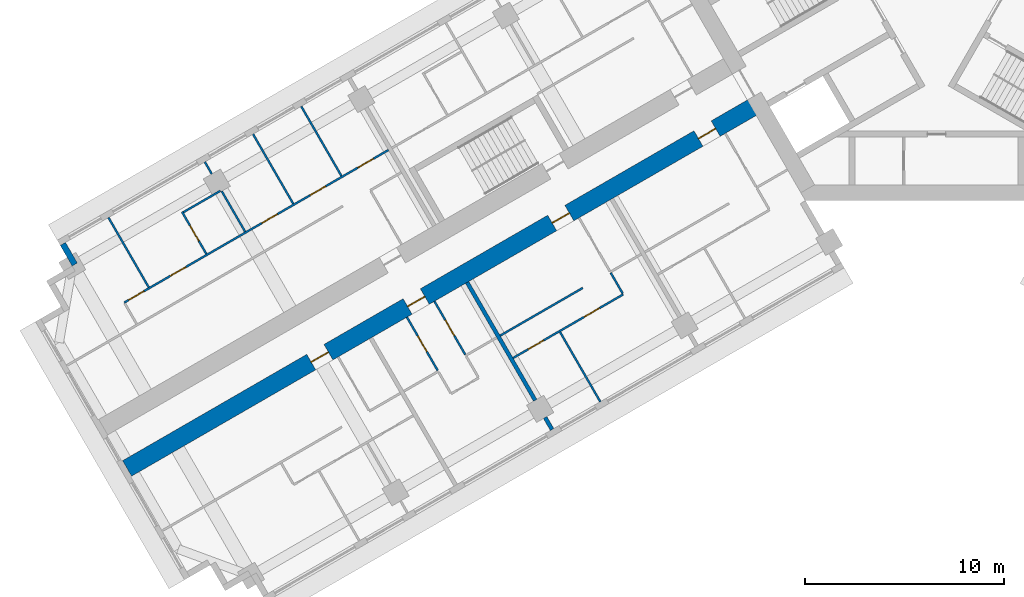
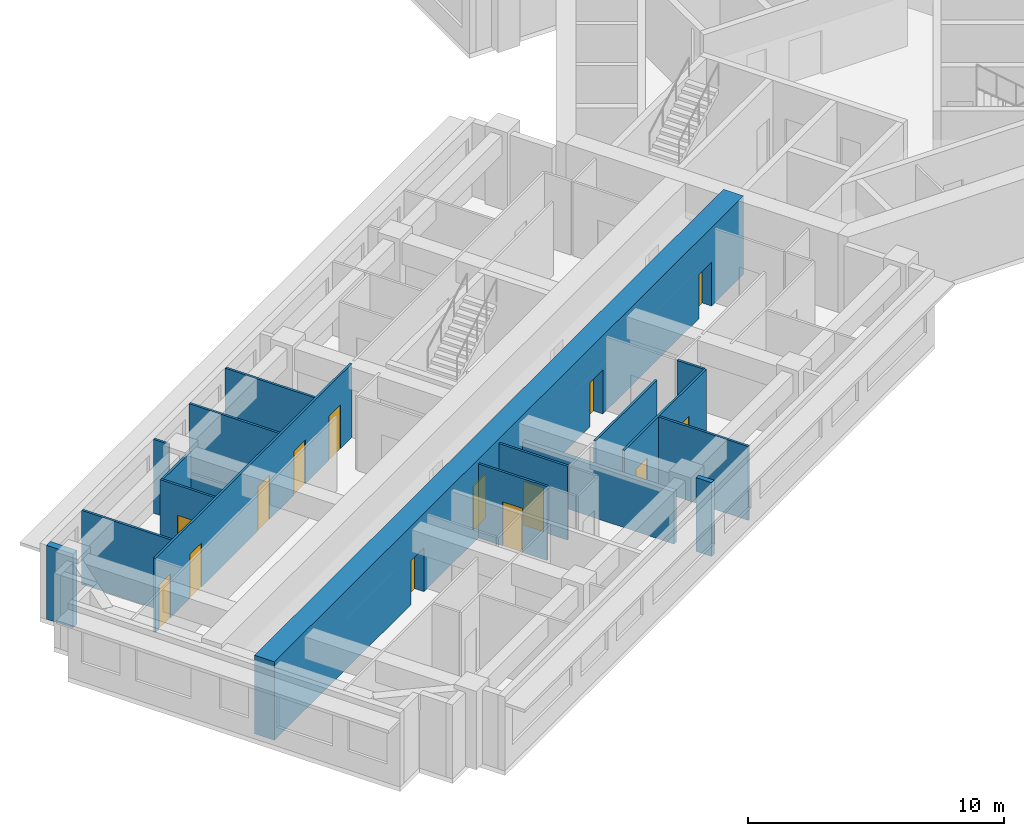
# One storey, part 4 of 14: 18 walls, 14 doors, 14 openings.
"""IFC4 building model written with IfcOpenShell, lengths in metres."""

from ifc_helpers import new_model, si_unit, direction, frame, frame_2d, origin, place, context, subcontext, project, spatial, rectangle, extrude, material, layer, layer_set, type_object, element, fill, save


model = new_model("IFC4")

# Units and contexts
model_context = context("Model", 3, precision=1e-05, world=origin(), true_north=direction((0.0, 1.0)))
body_context = subcontext(model_context, "Body", "Model", "MODEL_VIEW")
ifc_project = project(units=[si_unit("LENGTHUNIT", "METRE"), si_unit("AREAUNIT", "SQUARE_METRE"), si_unit("VOLUMEUNIT", "CUBIC_METRE"), si_unit("PLANEANGLEUNIT", "RADIAN"), si_unit("MASSUNIT", "GRAM", prefix="KILO")], contexts=[model_context])

# Site, building, storey
site_placement = place(None, origin())
site = spatial("IfcSite", under=ifc_project, at=site_placement, CompositionType="ELEMENT")
building_placement = place(site_placement, origin())
building = spatial("IfcBuilding", under=site, at=building_placement, Name="Impinga Residences", CompositionType="ELEMENT")
storey_placement = place(building_placement, frame((0.0, 0.0, 124.75)))
storey = spatial("IfcBuildingStorey", under=building, at=storey_placement, Name="L30", CompositionType="ELEMENT", Elevation=124.75)

# Wall, openings, doors
ifc_material_1 = material(Name="Concrete C60/75", Category="concrete")
ifc_layer_1 = layer(ifc_material_1, 0.89990234375)
ifc_layer_set_1 = layer_set([ifc_layer_1], Name="Concrete C60/75")
wall_type_1 = type_object("IfcWallType", Name="BW2 corridor buttress wall, L24 to L44 900", PredefinedType="SHEAR", material=ifc_layer_set_1)
wall_1_placement = place(storey_placement, frame((-8.95361328125, -6.554931640625, 0.0), z_axis=(0.0, 0.0, 1.0), x_axis=(-0.866024733898, -0.500001160275, 0.0)))
wall_1 = element("IfcWall", 1, at=wall_1_placement, inside=storey, type_object=wall_type_1, Name="Corridor wall BW2 WC L30", PredefinedType="SHEAR", context=body_context, shape_type="SweptSolid", body=[
    extrude(rectangle(XDim=36.7001953125, YDim=0.89990234375, at=frame_2d((18.35009765625, 0.0))), origin(), (0.0, 0.0, 1.0), 3.75),
])
opening_1_placement = place(wall_1_placement, frame((2.5, 0.0, 0.0)))
opening_1 = element("IfcOpeningElement", 2, at=opening_1_placement, cuts=wall_1, Name="Opening D1", PredefinedType="OPENING", context=body_context, shape_type="SweptSolid", body=[
    extrude(rectangle(XDim=1.0, YDim=2.10009765625, at=frame_2d((0.5, 1.050048828125))), frame((0.0, 0.4599609375, 0.0), z_axis=(0.0, -1.0, 0.0), x_axis=(1.0, 0.0, 0.0)), (0.0, 0.0, 1.0), 0.919921875),
])
opening_2_placement = place(wall_1_placement, frame((11.0, 0.0, 0.0)))
opening_2 = element("IfcOpeningElement", 3, at=opening_2_placement, cuts=wall_1, Name="Opening D1", PredefinedType="OPENING", context=body_context, shape_type="SweptSolid", body=[
    extrude(rectangle(XDim=1.0, YDim=2.10009765625, at=frame_2d((0.5, 1.050048828125))), frame((0.0, 0.4599609375, 0.0), z_axis=(0.0, -1.0, 0.0), x_axis=(1.0, 0.0, 0.0)), (0.0, 0.0, 1.0), 0.919921875),
])
opening_3_placement = place(wall_1_placement, frame((19.39990234375, 0.0, 0.0)))
opening_3 = element("IfcOpeningElement", 4, at=opening_3_placement, cuts=wall_1, Name="Opening D1", PredefinedType="OPENING", context=body_context, shape_type="SweptSolid", body=[
    extrude(rectangle(XDim=1.0, YDim=2.10009765625, at=frame_2d((0.5, 1.050048828125))), frame((0.0, 0.4599609375, 0.0), z_axis=(0.0, -1.0, 0.0), x_axis=(1.0, 0.0, 0.0)), (0.0, 0.0, 1.0), 0.919921875),
])
opening_4_placement = place(wall_1_placement, frame((25.0, 0.0, 0.0)))
opening_4 = element("IfcOpeningElement", 5, at=opening_4_placement, cuts=wall_1, Name="Opening D1", PredefinedType="OPENING", context=body_context, shape_type="SweptSolid", body=[
    extrude(rectangle(XDim=1.0, YDim=2.10009765625, at=frame_2d((0.5, 1.050048828125))), frame((0.0, 0.4599609375, 0.0), z_axis=(0.0, -1.0, 0.0), x_axis=(1.0, 0.0, 0.0)), (0.0, 0.0, 1.0), 0.919921875),
])
ifc_material_2 = material(Name="Timber door set", Category="wood")
door_type_1 = type_object("IfcDoorType", Name="D1 apartment entrance door 1000x2100", OperationType="SINGLE_SWING_LEFT", PredefinedType="DOOR", material=ifc_material_2)
door_1_placement = place(opening_1_placement, origin())
door_1 = element("IfcDoor", 6, at=door_1_placement, inside=storey, type_object=door_type_1, Name="Apartment L30-WA1 entrance", OperationType="SINGLE_SWING_LEFT", OverallHeight=2.10009765625, OverallWidth=1.0, PredefinedType="DOOR", context=body_context, shape_type="SweptSolid", body=[
    extrude(rectangle(XDim=1.0, YDim=2.10009765625, at=frame_2d((0.5, 1.050048828125))), frame((0.0, 0.02490234375, 0.0), z_axis=(0.0, -1.0, 0.0), x_axis=(1.0, 0.0, 0.0)), (0.0, 0.0, 1.0), 0.050048828125),
])
fill(opening_1, door_1)
door_2_placement = place(opening_2_placement, origin())
door_2 = element("IfcDoor", 7, at=door_2_placement, inside=storey, type_object=door_type_1, Name="Apartment L30-WA2 entrance", OperationType="SINGLE_SWING_LEFT", OverallHeight=2.10009765625, OverallWidth=1.0, PredefinedType="DOOR", context=body_context, shape_type="SweptSolid", body=[
    extrude(rectangle(XDim=1.0, YDim=2.10009765625, at=frame_2d((0.5, 1.050048828125))), frame((0.0, 0.02490234375, 0.0), z_axis=(0.0, -1.0, 0.0), x_axis=(1.0, 0.0, 0.0)), (0.0, 0.0, 1.0), 0.050048828125),
])
fill(opening_2, door_2)
door_3_placement = place(opening_3_placement, origin())
door_3 = element("IfcDoor", 8, at=door_3_placement, inside=storey, type_object=door_type_1, Name="Apartment L30-WA3 entrance", OperationType="SINGLE_SWING_RIGHT", OverallHeight=2.10009765625, OverallWidth=1.0, PredefinedType="DOOR", context=body_context, shape_type="SweptSolid", body=[
    extrude(rectangle(XDim=1.0, YDim=2.10009765625, at=frame_2d((0.5, 1.050048828125))), frame((0.0, 0.02490234375, 0.0), z_axis=(0.0, -1.0, 0.0), x_axis=(1.0, 0.0, 0.0)), (0.0, 0.0, 1.0), 0.050048828125),
])
fill(opening_3, door_3)
door_4_placement = place(opening_4_placement, origin())
door_4 = element("IfcDoor", 9, at=door_4_placement, inside=storey, type_object=door_type_1, Name="Apartment L30-WA4 entrance", OperationType="SINGLE_SWING_RIGHT", OverallHeight=2.10009765625, OverallWidth=1.0, PredefinedType="DOOR", context=body_context, shape_type="SweptSolid", body=[
    extrude(rectangle(XDim=1.0, YDim=2.10009765625, at=frame_2d((0.5, 1.050048828125))), frame((0.0, 0.02490234375, 0.0), z_axis=(0.0, -1.0, 0.0), x_axis=(1.0, 0.0, 0.0)), (0.0, 0.0, 1.0), 0.050048828125),
])
fill(opening_4, door_4)

# Walls
ifc_material_3 = material(Name="Terracotta rainscreen on blockwork", Category="masonry")
ifc_layer_2 = layer(ifc_material_3, 0.300048828125)
ifc_layer_set_2 = layer_set([ifc_layer_2], Name="EW1 external wall, terracotta rainscreen on blockwork 300")
wall_type_2 = type_object("IfcWallType", Name="EW1 external wall, terracotta rainscreen on blockwork 300", PredefinedType="SOLIDWALL", material=ifc_layer_set_2)
wall_2_placement = place(storey_placement, frame((-43.37109375, -14.64208984375, 0.0), z_axis=(0.0, 0.0, 1.0), x_axis=(-0.500029051137, 0.866008630453, 0.0)))
element("IfcWall", 10, at=wall_2_placement, inside=storey, type_object=wall_type_2, Name="External wall EW1 L30", PredefinedType="SOLIDWALL", context=body_context, shape_type="SweptSolid", body=[
    extrude(rectangle(XDim=1.19482421875, YDim=0.300048828125, at=frame_2d((0.597412109375, 0.0))), origin(), (0.0, 0.0, 1.0), 3.530029296875),
])
ifc_material_4 = material(Name="Gypsum board on steel studs", Category="steel")
ifc_layer_3 = layer(ifc_material_4, 0.10009765625)
ifc_layer_set_3 = layer_set([ifc_layer_3], Name="Gypsum board on steel studs")
wall_type_3 = type_object("IfcWallType", Name="IP1 partition 100", PredefinedType="PARTITIONING", material=ifc_layer_set_3)
wall_3_placement = place(storey_placement, frame((-17.8056640625, -15.82275390625, 0.0), z_axis=(0.0, 0.0, 1.0), x_axis=(-0.866037363387, -0.499979284789, 0.0)))
element("IfcWall", 11, at=wall_3_placement, inside=storey, type_object=wall_type_3, Name="Partition L30-WA2:DIV1", PredefinedType="PARTITIONING", context=body_context, shape_type="SweptSolid", body=[
    extrude(rectangle(XDim=4.800048828125, YDim=0.10009765625, at=frame_2d((2.39990234375, 0.0))), origin(), (0.0, 0.0, 1.0), 3.530029296875),
])

# Wall, openings, doors
wall_4_placement = place(storey_placement, frame((-15.77001953125, -16.1484375, 0.0), z_axis=(0.0, 0.0, 1.0), x_axis=(-0.866018518567, -0.500011925357, 0.0)))
wall_4 = element("IfcWall", 12, at=wall_4_placement, inside=storey, type_object=wall_type_3, Name="Partition L30-WA2:STRIP", PredefinedType="PARTITIONING", context=body_context, shape_type="SweptSolid", body=[
    extrude(rectangle(XDim=6.400146484375, YDim=0.10009765625, at=frame_2d((3.2001953125, 0.0))), origin(), (0.0, 0.0, 1.0), 3.530029296875),
])
opening_5_placement = place(wall_4_placement, frame((1.375, 0.0, 0.0)))
opening_5 = element("IfcOpeningElement", 13, at=opening_5_placement, cuts=wall_4, Name="Opening D2", PredefinedType="OPENING", context=body_context, shape_type="SweptSolid", body=[
    extrude(rectangle(XDim=0.89990234375, YDim=2.10009765625, at=frame_2d((0.449951171875, 1.050048828125))), frame((0.0, 0.06005859375, 0.0), z_axis=(0.0, -1.0, 0.0), x_axis=(1.0, 0.0, 0.0)), (0.0, 0.0, 1.0), 0.1201171875),
])
opening_6_placement = place(wall_4_placement, frame((4.625, 0.0, 0.0)))
opening_6 = element("IfcOpeningElement", 14, at=opening_6_placement, cuts=wall_4, Name="Opening D2", PredefinedType="OPENING", context=body_context, shape_type="SweptSolid", body=[
    extrude(rectangle(XDim=0.89990234375, YDim=2.10009765625, at=frame_2d((0.449951171875, 1.050048828125))), frame((0.0, 0.06005859375, 0.0), z_axis=(0.0, -1.0, 0.0), x_axis=(1.0, 0.0, 0.0)), (0.0, 0.0, 1.0), 0.1201171875),
])
door_type_2 = type_object("IfcDoorType", Name="D2 internal door 900x2100", OperationType="SINGLE_SWING_LEFT", PredefinedType="DOOR", material=ifc_material_2)
door_5_placement = place(opening_5_placement, origin())
door_5 = element("IfcDoor", 15, at=door_5_placement, inside=storey, type_object=door_type_2, Name="Apartment L30-WA2 room door", OperationType="SINGLE_SWING_LEFT", OverallHeight=2.10009765625, OverallWidth=0.89990234375, PredefinedType="DOOR", context=body_context, shape_type="SweptSolid", body=[
    extrude(rectangle(XDim=0.89990234375, YDim=2.10009765625, at=frame_2d((0.449951171875, 1.050048828125))), frame((0.0, 0.02490234375, 0.0), z_axis=(0.0, -1.0, 0.0), x_axis=(1.0, 0.0, 0.0)), (0.0, 0.0, 1.0), 0.050048828125),
])
fill(opening_5, door_5)
door_6_placement = place(opening_6_placement, origin())
door_6 = element("IfcDoor", 16, at=door_6_placement, inside=storey, type_object=door_type_2, Name="Apartment L30-WA2 room door", OperationType="SINGLE_SWING_RIGHT", OverallHeight=2.10009765625, OverallWidth=0.89990234375, PredefinedType="DOOR", context=body_context, shape_type="SweptSolid", body=[
    extrude(rectangle(XDim=0.89990234375, YDim=2.10009765625, at=frame_2d((0.449951171875, 1.050048828125))), frame((0.0, 0.02490234375, 0.0), z_axis=(0.0, -1.0, 0.0), x_axis=(1.0, 0.0, 0.0)), (0.0, 0.0, 1.0), 0.050048828125),
])
fill(opening_6, door_6)

# Walls
wall_5_placement = place(storey_placement, frame((-16.39501953125, -15.06591796875, 0.0), z_axis=(0.0, 0.0, 1.0), x_axis=(0.499880961361, -0.866094119867, 0.0)))
element("IfcWall", 17, at=wall_5_placement, inside=storey, type_object=wall_type_3, Name="Partition L30-WA2:SE0", PredefinedType="PARTITIONING", context=body_context, shape_type="SweptSolid", body=[
    extrude(rectangle(XDim=1.199951171875, YDim=0.10009765625, at=frame_2d((0.60009765625, 0.0))), origin(), (0.0, 0.0, 1.0), 3.530029296875),
])
wall_6_placement = place(storey_placement, frame((-18.949462890625, -18.041748046875, 0.0), z_axis=(0.0, 0.0, 1.0), x_axis=(0.50000943426, -0.866019956843, 0.0)))
element("IfcWall", 18, at=wall_6_placement, inside=storey, type_object=wall_type_3, Name="Partition L30-WA2:OB1", PredefinedType="PARTITIONING", context=body_context, shape_type="SweptSolid", body=[
    extrude(rectangle(XDim=4.05029296875, YDim=0.10009765625, at=frame_2d((2.025146484375, 0.0))), origin(), (0.0, 0.0, 1.0), 3.530029296875),
])

# Wall, opening, door
wall_7_placement = place(storey_placement, frame((-25.269775390625, -16.49462890625, 0.0), z_axis=(0.0, 0.0, 1.0), x_axis=(0.49999285859, -0.86602952684, 0.0)))
wall_7 = element("IfcWall", 19, at=wall_7_placement, inside=storey, type_object=wall_type_3, Name="Partition L30-WA3:IB1", PredefinedType="PARTITIONING", context=body_context, shape_type="SweptSolid", body=[
    extrude(rectangle(XDim=3.10009765625, YDim=0.10009765625, at=frame_2d((1.550048828125, 0.0))), origin(), (0.0, 0.0, 1.0), 3.530029296875),
])
opening_7_placement = place(wall_7_placement, frame((1.10009765625, 0.0, 0.0)))
opening_7 = element("IfcOpeningElement", 20, at=opening_7_placement, cuts=wall_7, Name="Opening D2", PredefinedType="OPENING", context=body_context, shape_type="SweptSolid", body=[
    extrude(rectangle(XDim=0.89990234375, YDim=2.10009765625, at=frame_2d((0.449951171875, 1.050048828125))), frame((0.0, 0.06005859375, 0.0), z_axis=(0.0, -1.0, 0.0), x_axis=(1.0, 0.0, 0.0)), (0.0, 0.0, 1.0), 0.1201171875),
])
door_7_placement = place(opening_7_placement, origin())
door_7 = element("IfcDoor", 21, at=door_7_placement, inside=storey, type_object=door_type_2, Name="Apartment L30-WA3 bathroom door", OperationType="SINGLE_SWING_LEFT", OverallHeight=2.10009765625, OverallWidth=0.89990234375, PredefinedType="DOOR", context=body_context, shape_type="SweptSolid", body=[
    extrude(rectangle(XDim=0.89990234375, YDim=2.10009765625, at=frame_2d((0.449951171875, 1.050048828125))), frame((0.0, 0.02490234375, 0.0), z_axis=(0.0, -1.0, 0.0), x_axis=(1.0, 0.0, 0.0)), (0.0, 0.0, 1.0), 0.050048828125),
])
fill(opening_7, door_7)

wall_8_placement = place(storey_placement, frame((-26.6552734375, -17.294677734375, 0.0), z_axis=(0.0, 0.0, 1.0), x_axis=(0.49999285859, -0.86602952684, 0.0)))
wall_8 = element("IfcWall", 22, at=wall_8_placement, inside=storey, type_object=wall_type_3, Name="Partition L30-WA3:IB2", PredefinedType="PARTITIONING", context=body_context, shape_type="SweptSolid", body=[
    extrude(rectangle(XDim=3.10009765625, YDim=0.10009765625, at=frame_2d((1.550048828125, 0.0))), origin(), (0.0, 0.0, 1.0), 3.530029296875),
])
opening_8_placement = place(wall_8_placement, frame((1.10009765625, 0.0, 0.0)))
opening_8 = element("IfcOpeningElement", 23, at=opening_8_placement, cuts=wall_8, Name="Opening D2", PredefinedType="OPENING", context=body_context, shape_type="SweptSolid", body=[
    extrude(rectangle(XDim=0.89990234375, YDim=2.10009765625, at=frame_2d((0.449951171875, 1.050048828125))), frame((0.0, 0.06005859375, 0.0), z_axis=(0.0, -1.0, 0.0), x_axis=(1.0, 0.0, 0.0)), (0.0, 0.0, 1.0), 0.1201171875),
])
door_8_placement = place(opening_8_placement, origin())
door_8 = element("IfcDoor", 24, at=door_8_placement, inside=storey, type_object=door_type_2, Name="Apartment L30-WA3 WC door", OperationType="SINGLE_SWING_LEFT", OverallHeight=2.10009765625, OverallWidth=0.89990234375, PredefinedType="DOOR", context=body_context, shape_type="SweptSolid", body=[
    extrude(rectangle(XDim=0.89990234375, YDim=2.10009765625, at=frame_2d((0.449951171875, 1.050048828125))), frame((0.0, 0.02490234375, 0.0), z_axis=(0.0, -1.0, 0.0), x_axis=(1.0, 0.0, 0.0)), (0.0, 0.0, 1.0), 0.050048828125),
])
fill(opening_8, door_8)

# Wall, openings, doors
wall_9_placement = place(storey_placement, frame((-27.5859375, -8.883056640625, 0.0), z_axis=(0.0, 0.0, 1.0), x_axis=(-0.866023490266, -0.500003314297, 0.0)))
wall_9 = element("IfcWall", 25, at=wall_9_placement, inside=storey, type_object=wall_type_3, Name="Partition L30-WF2:STRIP", PredefinedType="PARTITIONING", context=body_context, shape_type="SweptSolid", body=[
    extrude(rectangle(XDim=15.35009765625, YDim=0.10009765625, at=frame_2d((7.675048828125, 0.0))), origin(), (0.0, 0.0, 1.0), 3.530029296875),
])
opening_9_placement = place(wall_9_placement, frame((0.875, 0.0, 0.0)))
opening_9 = element("IfcOpeningElement", 26, at=opening_9_placement, cuts=wall_9, Name="Opening D2", PredefinedType="OPENING", context=body_context, shape_type="SweptSolid", body=[
    extrude(rectangle(XDim=0.89990234375, YDim=2.10009765625, at=frame_2d((0.449951171875, 1.050048828125))), frame((0.0, 0.06005859375, 0.0), z_axis=(0.0, -1.0, 0.0), x_axis=(1.0, 0.0, 0.0)), (0.0, 0.0, 1.0), 0.1201171875),
])
opening_10_placement = place(wall_9_placement, frame((3.64990234375, 0.0, 0.0)))
opening_10 = element("IfcOpeningElement", 27, at=opening_10_placement, cuts=wall_9, Name="Opening D2", PredefinedType="OPENING", context=body_context, shape_type="SweptSolid", body=[
    extrude(rectangle(XDim=0.89990234375, YDim=2.10009765625, at=frame_2d((0.449951171875, 1.050048828125))), frame((0.0, 0.06005859375, 0.0), z_axis=(0.0, -1.0, 0.0), x_axis=(1.0, 0.0, 0.0)), (0.0, 0.0, 1.0), 0.1201171875),
])
opening_11_placement = place(wall_9_placement, frame((6.449951171875, 0.0, 0.0)))
opening_11 = element("IfcOpeningElement", 28, at=opening_11_placement, cuts=wall_9, Name="Opening D2", PredefinedType="OPENING", context=body_context, shape_type="SweptSolid", body=[
    extrude(rectangle(XDim=0.89990234375, YDim=2.10009765625, at=frame_2d((0.449951171875, 1.050048828125))), frame((0.0, 0.06005859375, 0.0), z_axis=(0.0, -1.0, 0.0), x_axis=(1.0, 0.0, 0.0)), (0.0, 0.0, 1.0), 0.1201171875),
])
opening_12_placement = place(wall_9_placement, frame((11.77490234375, 0.0, 0.0)))
opening_12 = element("IfcOpeningElement", 29, at=opening_12_placement, cuts=wall_9, Name="Opening D2", PredefinedType="OPENING", context=body_context, shape_type="SweptSolid", body=[
    extrude(rectangle(XDim=0.89990234375, YDim=2.10009765625, at=frame_2d((0.449951171875, 1.050048828125))), frame((0.0, 0.06005859375, 0.0), z_axis=(0.0, -1.0, 0.0), x_axis=(1.0, 0.0, 0.0)), (0.0, 0.0, 1.0), 0.1201171875),
])
opening_13_placement = place(wall_9_placement, frame((14.199951171875, 0.0, 0.0)))
opening_13 = element("IfcOpeningElement", 30, at=opening_13_placement, cuts=wall_9, Name="Opening D2", PredefinedType="OPENING", context=body_context, shape_type="SweptSolid", body=[
    extrude(rectangle(XDim=0.89990234375, YDim=2.10009765625, at=frame_2d((0.449951171875, 1.050048828125))), frame((0.0, 0.06005859375, 0.0), z_axis=(0.0, -1.0, 0.0), x_axis=(1.0, 0.0, 0.0)), (0.0, 0.0, 1.0), 0.1201171875),
])
door_9_placement = place(opening_9_placement, origin())
door_9 = element("IfcDoor", 31, at=door_9_placement, inside=storey, type_object=door_type_2, Name="Apartment L30-WF2 room door", OperationType="SINGLE_SWING_LEFT", OverallHeight=2.10009765625, OverallWidth=0.89990234375, PredefinedType="DOOR", context=body_context, shape_type="SweptSolid", body=[
    extrude(rectangle(XDim=0.89990234375, YDim=2.10009765625, at=frame_2d((0.449951171875, 1.050048828125))), frame((0.0, 0.02490234375, 0.0), z_axis=(0.0, -1.0, 0.0), x_axis=(1.0, 0.0, 0.0)), (0.0, 0.0, 1.0), 0.050048828125),
])
fill(opening_9, door_9)
door_10_placement = place(opening_10_placement, origin())
door_10 = element("IfcDoor", 32, at=door_10_placement, inside=storey, type_object=door_type_2, Name="Apartment L30-WF2 room door", OperationType="SINGLE_SWING_LEFT", OverallHeight=2.10009765625, OverallWidth=0.89990234375, PredefinedType="DOOR", context=body_context, shape_type="SweptSolid", body=[
    extrude(rectangle(XDim=0.89990234375, YDim=2.10009765625, at=frame_2d((0.449951171875, 1.050048828125))), frame((0.0, 0.02490234375, 0.0), z_axis=(0.0, -1.0, 0.0), x_axis=(1.0, 0.0, 0.0)), (0.0, 0.0, 1.0), 0.050048828125),
])
fill(opening_10, door_10)
door_11_placement = place(opening_11_placement, origin())
door_11 = element("IfcDoor", 33, at=door_11_placement, inside=storey, type_object=door_type_2, Name="Apartment L30-WF2 room door", OperationType="SINGLE_SWING_LEFT", OverallHeight=2.10009765625, OverallWidth=0.89990234375, PredefinedType="DOOR", context=body_context, shape_type="SweptSolid", body=[
    extrude(rectangle(XDim=0.89990234375, YDim=2.10009765625, at=frame_2d((0.449951171875, 1.050048828125))), frame((0.0, 0.02490234375, 0.0), z_axis=(0.0, -1.0, 0.0), x_axis=(1.0, 0.0, 0.0)), (0.0, 0.0, 1.0), 0.050048828125),
])
fill(opening_11, door_11)
door_12_placement = place(opening_12_placement, origin())
door_12 = element("IfcDoor", 34, at=door_12_placement, inside=storey, type_object=door_type_2, Name="Apartment L30-WF2 room door", OperationType="SINGLE_SWING_RIGHT", OverallHeight=2.10009765625, OverallWidth=0.89990234375, PredefinedType="DOOR", context=body_context, shape_type="SweptSolid", body=[
    extrude(rectangle(XDim=0.89990234375, YDim=2.10009765625, at=frame_2d((0.449951171875, 1.050048828125))), frame((0.0, 0.02490234375, 0.0), z_axis=(0.0, -1.0, 0.0), x_axis=(1.0, 0.0, 0.0)), (0.0, 0.0, 1.0), 0.050048828125),
])
fill(opening_12, door_12)
door_13_placement = place(opening_13_placement, origin())
door_13 = element("IfcDoor", 35, at=door_13_placement, inside=storey, type_object=door_type_2, Name="Apartment L30-WF2 room door", OperationType="SINGLE_SWING_RIGHT", OverallHeight=2.10009765625, OverallWidth=0.89990234375, PredefinedType="DOOR", context=body_context, shape_type="SweptSolid", body=[
    extrude(rectangle(XDim=0.89990234375, YDim=2.10009765625, at=frame_2d((0.449951171875, 1.050048828125))), frame((0.0, 0.02490234375, 0.0), z_axis=(0.0, -1.0, 0.0), x_axis=(1.0, 0.0, 0.0)), (0.0, 0.0, 1.0), 0.050048828125),
])
fill(opening_13, door_13)

# Walls
for number, where, z_axis, x_axis, name in (
    (36, (-29.94921875, -10.189697265625, 0.0), (0.0, 0.0, 1.0), (-0.499990325971, 0.866030989016, 0.0), "Partition L30-WF2:OB1"),
    (37, (-32.3740234375, -11.589599609375, 0.0), (0.0, 0.0, 1.0), (-0.499990325971, 0.866030989016, 0.0), "Partition L30-WF2:OB2"),
):
    element("IfcWall", number, at=place(storey_placement, frame(where, z_axis=z_axis, x_axis=x_axis)), inside=storey, type_object=wall_type_3, Name=name, PredefinedType="PARTITIONING", context=body_context, shape_type="SweptSolid", body=[
        extrude(rectangle(XDim=4.0498046875, YDim=0.10009765625, at=frame_2d((2.02490234375, 0.0))), origin(), (0.0, 0.0, 1.0), 3.530029296875),
    ])
wall_10_placement = place(storey_placement, frame((-34.798828125, -12.98974609375, 0.0), z_axis=(0.0, 0.0, 1.0), x_axis=(-0.500016218704, 0.866016039709, 0.0)))
element("IfcWall", 38, at=wall_10_placement, inside=storey, type_object=wall_type_3, Name="Partition L30-WF2:OB3", PredefinedType="PARTITIONING", context=body_context, shape_type="SweptSolid", body=[
    extrude(rectangle(XDim=2.35009765625, YDim=0.10009765625, at=frame_2d((1.175048828125, 0.0))), origin(), (0.0, 0.0, 1.0), 2.47998046875),
])
wall_11_placement = place(storey_placement, frame((-36.473876953125, -10.088623046875, 0.0), z_axis=(0.0, 0.0, 1.0), x_axis=(-0.499853302173, 0.866110083249, 0.0)))
element("IfcWall", 39, at=wall_11_placement, inside=storey, type_object=wall_type_3, Name="Partition L30-WF2:OB3b", PredefinedType="PARTITIONING", context=body_context, shape_type="SweptSolid", body=[
    extrude(rectangle(XDim=0.699951171875, YDim=0.10009765625, at=frame_2d((0.35009765625, 0.0))), origin(), (0.0, 0.0, 1.0), 3.530029296875),
])
wall_12_placement = place(storey_placement, frame((-39.648681640625, -15.789794921875, 0.0), z_axis=(0.0, 0.0, 1.0), x_axis=(-0.499964223975, 0.866046058097, 0.0)))
element("IfcWall", 40, at=wall_12_placement, inside=storey, type_object=wall_type_3, Name="Partition L30-WF2:OB4", PredefinedType="PARTITIONING", context=body_context, shape_type="SweptSolid", body=[
    extrude(rectangle(XDim=4.050048828125, YDim=0.10009765625, at=frame_2d((2.02490234375, 0.0))), origin(), (0.0, 0.0, 1.0), 3.530029296875),
])

# Wall, opening, door
wall_13_placement = place(storey_placement, frame((-36.747314453125, -14.11474609375, 0.0), z_axis=(0.0, 0.0, 1.0), x_axis=(-0.500018594424, 0.866014668023, 0.0)))
wall_13 = element("IfcWall", 41, at=wall_13_placement, inside=storey, type_object=wall_type_3, Name="Partition L30-WF2:EN1", PredefinedType="PARTITIONING", context=body_context, shape_type="SweptSolid", body=[
    extrude(rectangle(XDim=2.4501953125, YDim=0.10009765625, at=frame_2d((1.22509765625, 0.0))), origin(), (0.0, 0.0, 1.0), 3.530029296875),
])
opening_14_placement = place(wall_13_placement, frame((0.75, 0.0, 0.0)))
opening_14 = element("IfcOpeningElement", 42, at=opening_14_placement, cuts=wall_13, Name="Opening D2", PredefinedType="OPENING", context=body_context, shape_type="SweptSolid", body=[
    extrude(rectangle(XDim=0.89990234375, YDim=2.10009765625, at=frame_2d((0.449951171875, 1.050048828125))), frame((0.0, 0.06005859375, 0.0), z_axis=(0.0, -1.0, 0.0), x_axis=(1.0, 0.0, 0.0)), (0.0, 0.0, 1.0), 0.1201171875),
])
door_14_placement = place(opening_14_placement, origin())
door_14 = element("IfcDoor", 43, at=door_14_placement, inside=storey, type_object=door_type_2, Name="Apartment L30-WF2 en-suite door", OperationType="SINGLE_SWING_LEFT", OverallHeight=2.10009765625, OverallWidth=0.89990234375, PredefinedType="DOOR", context=body_context, shape_type="SweptSolid", body=[
    extrude(rectangle(XDim=0.89990234375, YDim=2.10009765625, at=frame_2d((0.449951171875, 1.050048828125))), frame((0.0, 0.02490234375, 0.0), z_axis=(0.0, -1.0, 0.0), x_axis=(1.0, 0.0, 0.0)), (0.0, 0.0, 1.0), 0.050048828125),
])
fill(opening_14, door_14)

# Walls
wall_14_placement = place(storey_placement, frame((-36.042236328125, -10.936279296875, 0.0), z_axis=(0.0, 0.0, 1.0), x_axis=(-0.866019166195, -0.500010803666, 0.0)))
element("IfcWall", 44, at=wall_14_placement, inside=storey, type_object=wall_type_3, Name="Partition L30-WF2:EN2", PredefinedType="PARTITIONING", context=body_context, shape_type="SweptSolid", body=[
    extrude(rectangle(XDim=2.14990234375, YDim=0.10009765625, at=frame_2d((1.074951171875, 0.0))), origin(), (0.0, 0.0, 1.0), 3.530029296875),
])
ifc_material_5 = material(Name="Concrete blockwork", Category="masonry")
ifc_layer_4 = layer(ifc_material_5, 0.199951171875)
ifc_layer_set_4 = layer_set([ifc_layer_4], Name="PW1 party wall between apartments 200")
wall_type_4 = type_object("IfcWallType", Name="PW1 party wall between apartments 200", PredefinedType="SOLIDWALL", material=ifc_layer_set_4)
wall_15_placement = place(storey_placement, frame((-23.624267578125, -15.544677734375, 0.0), z_axis=(0.0, 0.0, 1.0), x_axis=(0.499999086063, -0.866025931445, 0.0)))
element("IfcWall", 45, at=wall_15_placement, inside=storey, type_object=wall_type_4, Name="Party wall between apartments L30-WA2:PARTY", PredefinedType="SOLIDWALL", context=body_context, shape_type="SweptSolid", body=[
    extrude(rectangle(XDim=6.85009765625, YDim=0.199951171875, at=frame_2d((3.425048828125, 0.0))), origin(), (0.0, 0.0, 1.0), 2.47998046875),
])
wall_16_placement = place(storey_placement, frame((-19.69921875, -22.343017578125, 0.0), z_axis=(0.0, 0.0, 1.0), x_axis=(0.500114896893, -0.865959057869, 0.0)))
element("IfcWall", 46, at=wall_16_placement, inside=storey, type_object=wall_type_4, Name="Party wall between apartments L30-WA2:PARTYb", PredefinedType="SOLIDWALL", context=body_context, shape_type="SweptSolid", body=[
    extrude(rectangle(XDim=0.699951171875, YDim=0.199951171875, at=frame_2d((0.35009765625, 0.0))), origin(), (0.0, 0.0, 1.0), 3.530029296875),
])

save(model, "model.ifc")
